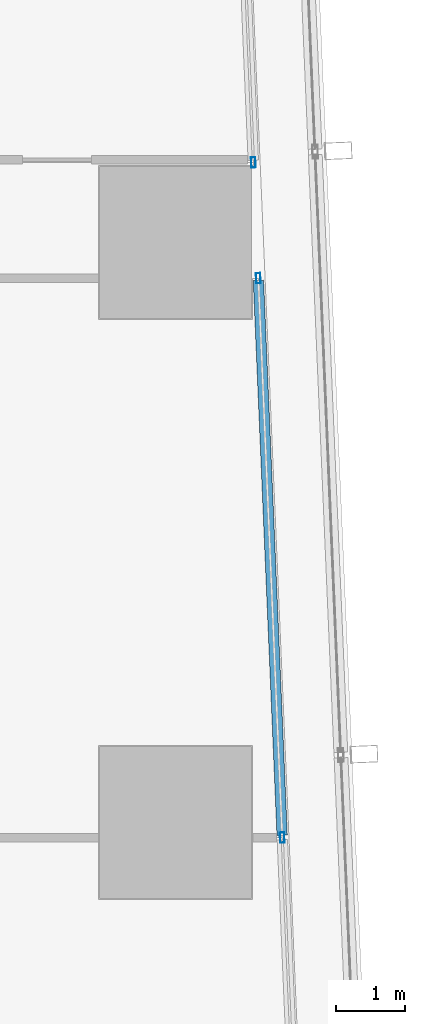
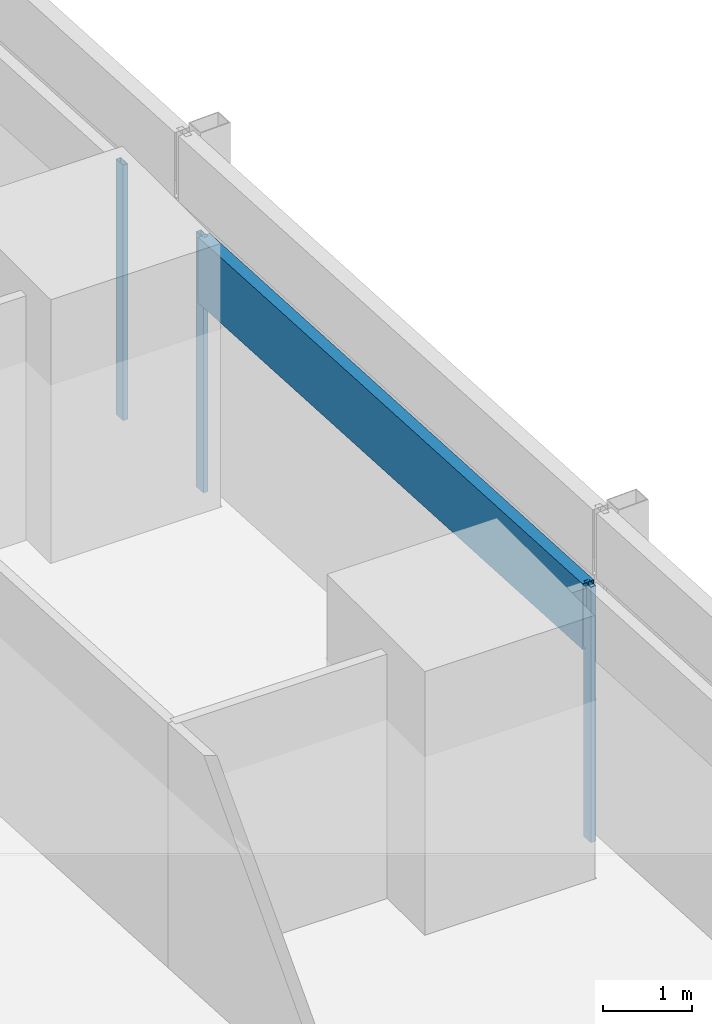
# One storey, part 20 of 44: 4 members, 2 elements without a shape of their own.
"""IFC4 building model written with IfcOpenShell, lengths in metres."""

from ifc_helpers import new_model, si_unit, direction, frame, origin, origin_2d, place, context, subcontext, project, spatial, hollow_rectangle, extrude, material, material_profile, profile_set, type_object, element, aggregate, save


model = new_model("IFC4")

# Units and contexts
model_context = context("Model", 3, precision=1e-05, world=origin(), true_north=direction((0.0, 1.0)))
body_context = subcontext(model_context, "Body", "Model", "MODEL_VIEW")
ifc_project = project(units=[si_unit("LENGTHUNIT", "METRE"), si_unit("AREAUNIT", "SQUARE_METRE"), si_unit("VOLUMEUNIT", "CUBIC_METRE"), si_unit("PLANEANGLEUNIT", "RADIAN"), si_unit("MASSUNIT", "GRAM", prefix="KILO")], contexts=[model_context])

# Site, building, storey
site_placement = place(None, origin())
site = spatial("IfcSite", under=ifc_project, at=site_placement, CompositionType="ELEMENT")
building_placement = place(site_placement, origin())
building = spatial("IfcBuilding", under=site, at=building_placement, Name="Rekha Terrace Tower", CompositionType="ELEMENT")
storey_placement = place(building_placement, frame((0.0, 0.0, 66.64990234375)))
storey = spatial("IfcBuildingStorey", under=building, at=storey_placement, Name="L16", CompositionType="ELEMENT", Elevation=66.64990234375)

# Curtain wall, members
ifc_material_1 = material(Name="Aluminium framing", Category="aluminium")
curtain_wall_type = type_object("IfcCurtainWallType", Name="CW1 double skin inner glazing", PredefinedType="USERDEFINED", material=ifc_material_1)
curtain_wall_1_placement = place(storey_placement, origin())
curtain_wall_1 = element("IfcCurtainWall", 1, at=curtain_wall_1_placement, inside=storey, type_object=curtain_wall_type, Name="CW1 double skin inner glazing", ObjectType="DOUBLE SKIN INNER GLAZING", PredefinedType="USERDEFINED")
ifc_material_2 = material(Name="Aluminium mullion section", Category="aluminium")
ifc_material_profile_1 = material_profile(ifc_material_2, hollow_rectangle(XDim=0.06494140625, YDim=0.14990234375, WallThickness=0.00390625, at=origin_2d()), Name="AL RHS 65x150")
ifc_profile_set_1 = profile_set([ifc_material_profile_1], Name="Aluminium mullion section")
member_type_1 = type_object("IfcMemberType", Name="CW1 mullion RHS 65 x 150", PredefinedType="MULLION", material=ifc_profile_set_1)
member_1_placement = place(storey_placement, frame((68.7431640625, 41.781494140625, 0.0), z_axis=(0.0, 0.0, 1.0), x_axis=(-0.999088106904, -0.042696072921, 0.0)))
member_1 = element("IfcMember", 2, at=member_1_placement, type_object=member_type_1, Name="CW1 mullion 3", PredefinedType="MULLION", context=body_context, shape_type="SweptSolid", body=[
    extrude(hollow_rectangle(XDim=0.06494140625, YDim=0.14990234375, WallThickness=0.00390625, at=origin_2d()), origin(), (0.0, 0.0, 1.0), 3.5),
])
member_2_placement = place(storey_placement, frame((68.397216796875, 49.8798828125, 0.0), z_axis=(0.0, 0.0, 1.0), x_axis=(-0.999088106904, -0.042696072921, 0.0)))
member_2 = element("IfcMember", 3, at=member_2_placement, type_object=member_type_1, Name="CW1 mullion 4", PredefinedType="MULLION", context=body_context, shape_type="SweptSolid", body=[
    extrude(hollow_rectangle(XDim=0.06494140625, YDim=0.14990234375, WallThickness=0.00390625, at=origin_2d()), origin(), (0.0, 0.0, 1.0), 3.5),
])

# Curtain wall, member
curtain_wall_2_placement = place(storey_placement, origin())
curtain_wall_2 = element("IfcCurtainWall", 4, at=curtain_wall_2_placement, inside=storey, type_object=curtain_wall_type, Name="CW1 double skin inner glazing", ObjectType="DOUBLE SKIN INNER GLAZING", PredefinedType="USERDEFINED")
member_3_placement = place(storey_placement, frame((68.325439453125, 51.556396484375, 0.0), z_axis=(0.0, 0.0, 1.0), x_axis=(-0.9990881069, -0.042696073026, 0.0)))
member_3 = element("IfcMember", 5, at=member_3_placement, type_object=member_type_1, Name="CW1 mullion 1", PredefinedType="MULLION", context=body_context, shape_type="SweptSolid", body=[
    extrude(hollow_rectangle(XDim=0.06494140625, YDim=0.14990234375, WallThickness=0.00390625, at=origin_2d()), origin(), (0.0, 0.0, 1.0), 3.5),
])
aggregate(curtain_wall_2, [member_3])

# Member
ifc_material_3 = material(Name="Insulated aluminium spandrel box", Category="aluminium")
ifc_material_profile_2 = material_profile(ifc_material_3, hollow_rectangle(XDim=0.14990234375, YDim=0.89990234375, WallThickness=0.0029296875, at=origin_2d()), Name="AL SPANDREL BOX 150x900")
ifc_profile_set_2 = profile_set([ifc_material_profile_2], Name="Insulated aluminium spandrel box")
member_type_2 = type_object("IfcMemberType", Name="CW1 spandrel transom 150 x 900", PredefinedType="USERDEFINED", material=ifc_profile_set_2)
member_4_placement = place(storey_placement, frame((68.741943359375, 41.81396484375, 3.050048828125), z_axis=(-0.042720422486, 0.999087066027, 0.0), x_axis=(-0.999087066027, -0.042720422486, 0.0)))
member_4 = element("IfcMember", 6, at=member_4_placement, type_object=member_type_2, Name="CW1 spandrel transom 3", ObjectType="TRANSOM", PredefinedType="USERDEFINED", context=body_context, shape_type="SweptSolid", body=[
    extrude(hollow_rectangle(XDim=0.14990234375, YDim=0.89990234375, WallThickness=0.0029296875, at=origin_2d()), origin(), (0.0, 0.0, 1.0), 8.040771484375),
])

aggregate(curtain_wall_1, [member_1, member_2, member_4])

save(model, "model.ifc")
